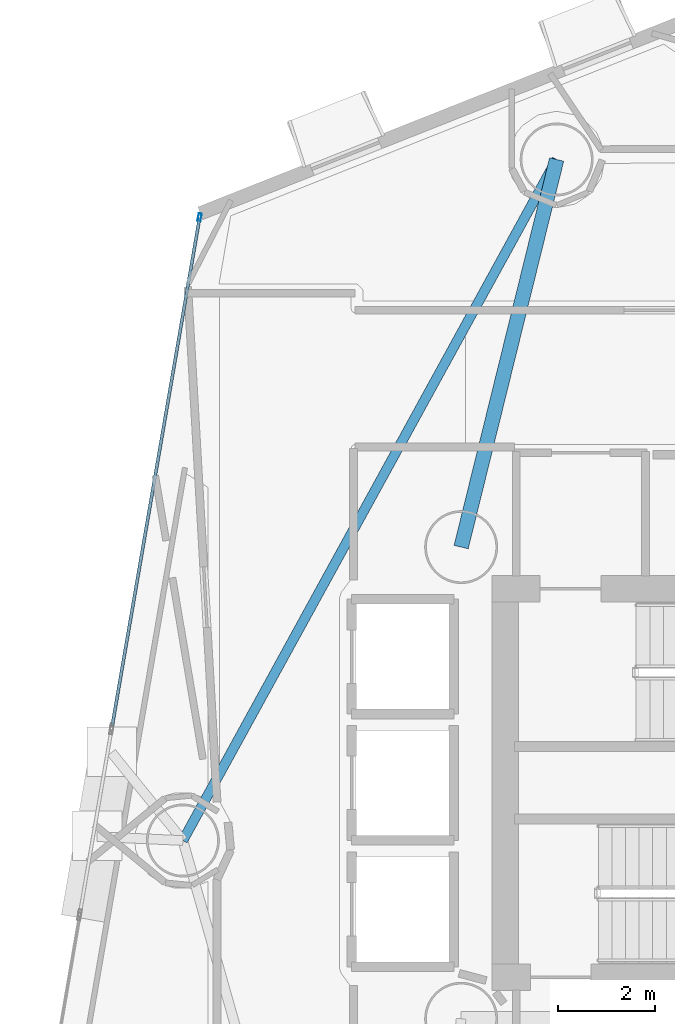
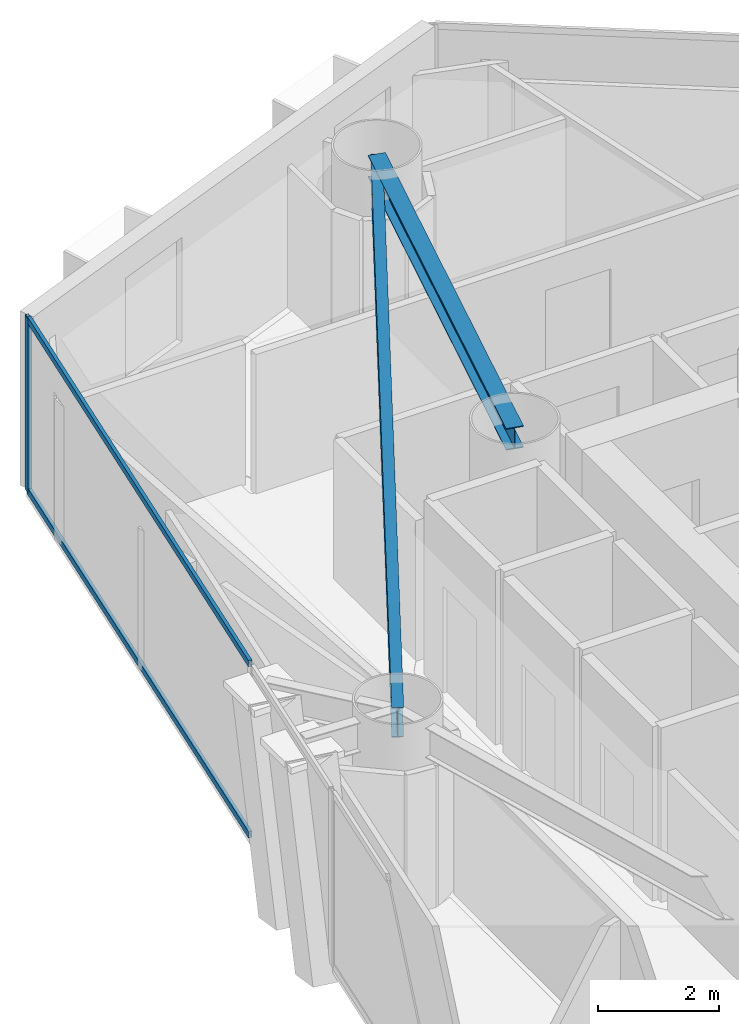
# One storey, part 9 of 21: 3 members, 2 beams, 1 element without a shape of its own.
"""IFC4 building model written with IfcOpenShell, lengths in metres."""

from ifc_helpers import new_model, si_unit, direction, frame, origin, origin_2d, place, context, subcontext, project, spatial, hollow_rectangle, i_section, extrude, material, layer, layer_set, material_profile, profile_set, type_object, element, aggregate, save


model = new_model("IFC4")

# Units and contexts
model_context = context("Model", 3, precision=1e-05, world=origin(), true_north=direction((0.0, 1.0)))
body_context = subcontext(model_context, "Body", "Model", "MODEL_VIEW")
ifc_project = project(units=[si_unit("LENGTHUNIT", "METRE"), si_unit("AREAUNIT", "SQUARE_METRE"), si_unit("VOLUMEUNIT", "CUBIC_METRE"), si_unit("PLANEANGLEUNIT", "RADIAN"), si_unit("MASSUNIT", "GRAM", prefix="KILO")], contexts=[model_context])

# Site, building, storey
site_placement = place(None, origin())
site = spatial("IfcSite", under=ifc_project, at=site_placement, CompositionType="ELEMENT")
building_placement = place(site_placement, origin())
building = spatial("IfcBuilding", under=site, at=building_placement, Name="Qianvela Tower", CompositionType="ELEMENT")
storey_placement = place(building_placement, frame((0.0, 0.0, 105.199951171875)))
storey = spatial("IfcBuildingStorey", under=building, at=storey_placement, Name="L26", CompositionType="ELEMENT", Elevation=105.199951171875)

# Beams
ifc_material_1 = material(Name="Steel Q355B", Category="steel")
ifc_material_profile_1 = material_profile(ifc_material_1, i_section(OverallWidth=0.300048828125, OverallDepth=0.43994140625, WebThickness=0.010986328125, FlangeThickness=0.01806640625, at=origin_2d()), Name="HM440x300x11x18")
ifc_profile_set_1 = profile_set([ifc_material_profile_1], Name="Steel Q355B")
beam_type_1 = type_object("IfcBeamType", Name="BM-HM440-COLL", PredefinedType="BEAM", material=ifc_profile_set_1)
beam_1_placement = place(storey_placement, frame((28.60009765625, 33.550048828125, 3.298095703125), z_axis=(0.239224384232, 0.970964311388, 0.0), x_axis=(-0.970964311388, 0.239224384232, 0.0)))
element("IfcBeam", 1, at=beam_1_placement, inside=storey, type_object=beam_type_1, Name="L26 Perimeter Ring Tie Girder 2B", PredefinedType="BEAM", context=body_context, shape_type="SweptSolid", body=[
    extrude(i_section(OverallWidth=0.300048828125, OverallDepth=0.43994140625, WebThickness=0.010986328125, FlangeThickness=0.01806640625, at=origin_2d()), origin(), (0.0, 0.0, 1.0), 8.209228515625),
])
ifc_material_2 = material(Name="Steel Q355B", Category="steel")
ifc_material_profile_2 = material_profile(ifc_material_2, i_section(OverallWidth=0.199951171875, OverallDepth=0.60009765625, WebThickness=0.010986328125, FlangeThickness=0.01708984375, at=origin_2d()), Name="HN600x200x11x17")
ifc_profile_set_2 = profile_set([ifc_material_profile_2], Name="Steel Q355B")
beam_type_2 = type_object("IfcBeamType", Name="BM-HN600-GIRD", PredefinedType="BEAM", material=ifc_profile_set_2)
beam_2_placement = place(storey_placement, frame((30.56396484375, 41.52099609375, 3.218017578125), z_axis=(-0.481118353038, -0.876655650965, 0.0), x_axis=(0.876655650965, -0.481118353038, 0.0)))
element("IfcBeam", 2, at=beam_2_placement, inside=storey, type_object=beam_type_2, Name="L26 Perimeter Ring Spandrel Girder 3", PredefinedType="BEAM", context=body_context, shape_type="SweptSolid", body=[
    extrude(i_section(OverallWidth=0.199951171875, OverallDepth=0.60009765625, WebThickness=0.010986328125, FlangeThickness=0.01708984375, at=origin_2d()), origin(), (0.0, 0.0, 1.0), 15.975341796875),
])

# Curtain wall, members
ifc_material_3 = material(Name="Anodised Architectural Aluminium and Low-E Glass", Category="aluminium")
ifc_layer = layer(ifc_material_3, 0.169921875)
ifc_layer_set = layer_set([ifc_layer], Name="Anodised Architectural Aluminium and Low-E Glass")
curtain_wall_type = type_object("IfcCurtainWallType", Name="CW-COLIV-Z34", PredefinedType="USERDEFINED", material=ifc_layer_set)
curtain_wall_placement = place(storey_placement, origin())
curtain_wall = element("IfcCurtainWall", 3, at=curtain_wall_placement, inside=storey, type_object=curtain_wall_type, Name="L26 CW-COLIV-Z34 Curtain Wall 04A", ObjectType="CURTAIN_WALL_SYSTEM", PredefinedType="USERDEFINED")
ifc_material_4 = material(Name="Anodised Architectural Aluminium 6063-T6", Category="aluminium")
ifc_material_profile_3 = material_profile(ifc_material_4, hollow_rectangle(XDim=0.06494140625, YDim=0.159912109375, WallThickness=0.0048828125, at=origin_2d()), Name="ALU-MULL-65x160")
ifc_profile_set_3 = profile_set([ifc_material_profile_3], Name="Anodised Architectural Aluminium 6063-T6")
member_type_1 = type_object("IfcMemberType", Name="CW-COLIV-Z34-MULL", PredefinedType="MULLION", material=ifc_profile_set_3)
member_1_placement = place(storey_placement, frame((23.222900390625, 40.334228515625, 0.0), z_axis=(0.0, 0.0, 1.0), x_axis=(0.985526133735, -0.169523566874, 0.0)))
member_1 = element("IfcMember", 4, at=member_1_placement, type_object=member_type_1, Name="CW-4 mullion 1", PredefinedType="MULLION", context=body_context, shape_type="SweptSolid", body=[
    extrude(hollow_rectangle(XDim=0.06494140625, YDim=0.159912109375, WallThickness=0.0048828125, at=origin_2d()), origin(), (0.0, 0.0, 1.0), 3.52001953125),
])
ifc_material_5 = material(Name="Anodised Architectural Aluminium 6063-T6", Category="aluminium")
ifc_material_profile_4 = material_profile(ifc_material_5, hollow_rectangle(XDim=0.06494140625, YDim=0.1298828125, WallThickness=0.00439453125, at=origin_2d()), Name="ALU-TRAN-65x130")
ifc_profile_set_4 = profile_set([ifc_material_profile_4], Name="Anodised Architectural Aluminium 6063-T6")
member_type_2 = type_object("IfcMemberType", Name="CW-COLIV-Z34-TRAN", PredefinedType="USERDEFINED", material=ifc_profile_set_4)
member_2_placement = place(storey_placement, frame((23.21728515625, 40.30224609375, 0.032470703125), z_axis=(-0.169512036066, -0.985528117117, 0.0), x_axis=(0.985528117117, -0.169512036066, 0.0)))
member_2 = element("IfcMember", 5, at=member_2_placement, type_object=member_type_2, Name="CW-4 transom 1.1", ObjectType="TRANSOM", PredefinedType="USERDEFINED", context=body_context, shape_type="SweptSolid", body=[
    extrude(hollow_rectangle(XDim=0.06494140625, YDim=0.1298828125, WallThickness=0.00439453125, at=origin_2d()), origin(), (0.0, 0.0, 1.0), 10.580078125),
])
member_3_placement = place(storey_placement, frame((23.21728515625, 40.30224609375, 3.487548828125), z_axis=(-0.169512036066, -0.985528117117, 0.0), x_axis=(0.985528117117, -0.169512036066, 0.0)))
member_3 = element("IfcMember", 6, at=member_3_placement, type_object=member_type_2, Name="CW-4 transom 1.2", ObjectType="TRANSOM", PredefinedType="USERDEFINED", context=body_context, shape_type="SweptSolid", body=[
    extrude(hollow_rectangle(XDim=0.06494140625, YDim=0.1298828125, WallThickness=0.00439453125, at=origin_2d()), origin(), (0.0, 0.0, 1.0), 10.580078125),
])
aggregate(curtain_wall, [member_1, member_2, member_3])

save(model, "model.ifc")
